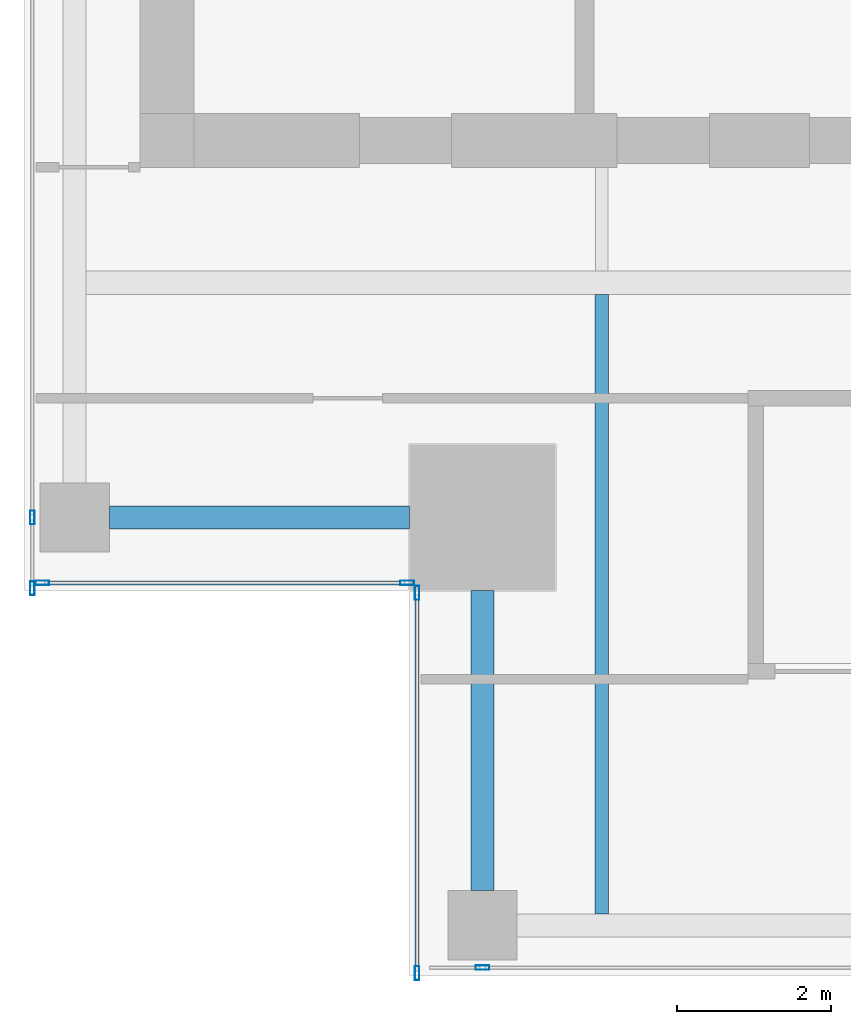
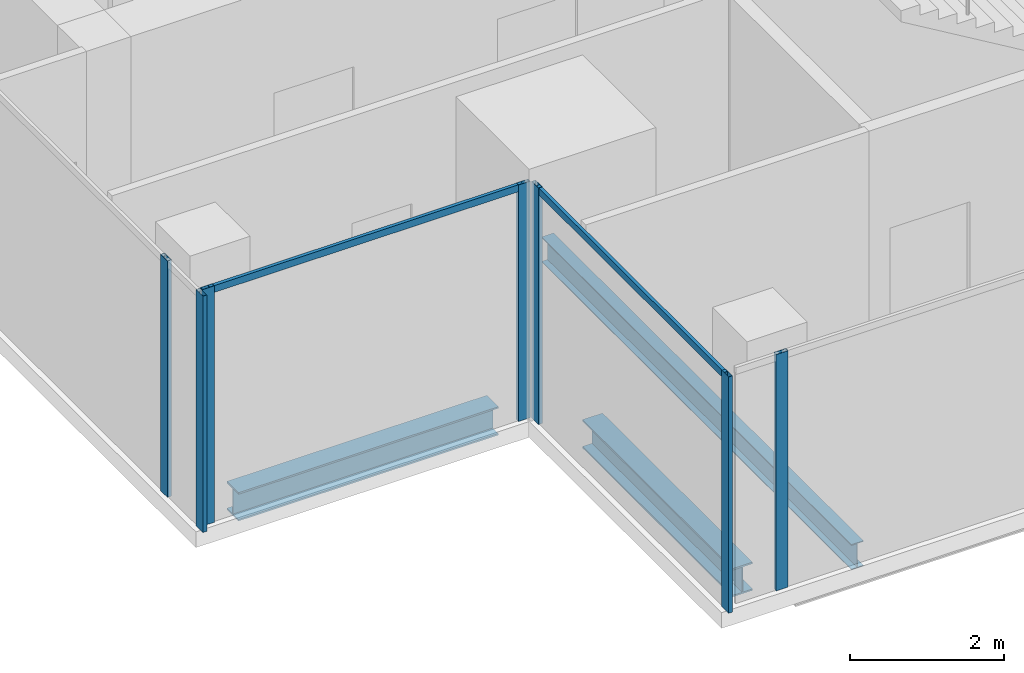
# One storey, part 2 of 35: 9 members, 3 beams, 4 elements without a shape of their own.
"""IFC4 building model written with IfcOpenShell, lengths in metres."""

import ifcopenshell
import ifcopenshell.guid

model = None  # the IFC model being written
_history = None  # IfcOwnerHistory: only IFC2X3 demands one
_inside = {}  # id of a spatial element -> (the spatial element, [elements in it])
_under = {}  # id of a project, library or spatial element -> (it, [spatial elements below it])
_declared = {}  # id of a project -> (the project, [libraries it declares])
_typed = {}  # id of a type object -> (the type object, [elements of that type])
_made_of = {}  # id of a material, layer set ... -> (it, [elements and type objects made of it])


def new_model(schema):
    """Start an empty IFC model of exactly this schema.

    Asked for "IFC4X3", IfcOpenShell would pick the latest addendum, in which some entities
    have other attributes; the version numbers below select the first issue.
    IFC2X3 requires an IfcOwnerHistory on every rooted entity: one is made here for all.
    """
    global model, _history
    if schema == "IFC4X3":
        model = ifcopenshell.file(schema_version=(4, 3, 0, 0))
    else:
        model = ifcopenshell.file(schema=schema)
    _inside.clear()
    _under.clear()
    _declared.clear()
    _typed.clear()
    _made_of.clear()
    _history = None
    if model.schema == "IFC2X3":
        org = make("IfcOrganization", Name="unknown")
        user = make(
            "IfcPersonAndOrganization",
            ThePerson=make("IfcPerson", FamilyName="unknown"),
            TheOrganization=org,
        )
        app = make(
            "IfcApplication",
            ApplicationDeveloper=org,
            Version="unknown",
            ApplicationFullName="unknown",
            ApplicationIdentifier="unknown",
        )
        _history = make(
            "IfcOwnerHistory",
            OwningUser=user,
            OwningApplication=app,
            ChangeAction="ADDED",
            CreationDate=0,
        )
    return model


def make(cls, **values):
    """One entity of the class cls with the attributes given. An attribute that is None is left unset."""
    return model.create_entity(
        cls, **{name: value for name, value in values.items() if value is not None}
    )


def rooted(cls, **values):
    """An entity with a GlobalId (a new one), such as an element, a storey or a relation."""
    return make(cls, GlobalId=ifcopenshell.guid.new(), OwnerHistory=_history, **values)


def si_unit(unit_type, name, prefix=None):
    """IfcSIUnit, for example si_unit("LENGTHUNIT", "METRE", prefix="MILLI")."""
    return make("IfcSIUnit", UnitType=unit_type, Prefix=prefix, Name=name)


def assignment(units):
    """IfcUnitAssignment: the units of a project."""
    return None if units is None else make("IfcUnitAssignment", Units=units)


def point(xyz):
    """IfcCartesianPoint."""
    return None if xyz is None else make("IfcCartesianPoint", Coordinates=xyz)


def direction(xyz):
    """IfcDirection."""
    return None if xyz is None else make("IfcDirection", DirectionRatios=xyz)


def frame(location, z_axis=None, x_axis=None):
    """IfcAxis2Placement3D, a coordinate frame: its origin and axes. An axis left out is left unset."""
    return make(
        "IfcAxis2Placement3D",
        Location=point(location),
        Axis=direction(z_axis),
        RefDirection=direction(x_axis),
    )


def frame_2d(location, x_axis=None):
    """IfcAxis2Placement2D, a coordinate frame in the plane: its origin and x axis."""
    return make(
        "IfcAxis2Placement2D", Location=point(location), RefDirection=direction(x_axis)
    )


def origin():
    """The frame at (0, 0, 0) with its axes left unset."""
    return frame((0.0, 0.0, 0.0))


def origin_2d():
    """The frame at (0, 0) in the plane with its x axis left unset."""
    return frame_2d((0.0, 0.0))


def place(relative_to, where):
    """IfcLocalPlacement: puts the frame where relative to a parent placement (None: the world)."""
    return make(
        "IfcLocalPlacement", PlacementRelTo=relative_to, RelativePlacement=where
    )


def context(
    kind, dimensions, precision=None, world=None, true_north=None, identifier=None
):
    """IfcGeometricRepresentationContext, for example the 3D "Model" context."""
    return make(
        "IfcGeometricRepresentationContext",
        ContextIdentifier=identifier,
        ContextType=kind,
        CoordinateSpaceDimension=dimensions,
        Precision=precision,
        WorldCoordinateSystem=world,
        TrueNorth=true_north,
    )


def subcontext(parent, identifier, kind, view, scale=None):
    """IfcGeometricRepresentationSubContext, for example "Body" below "Model"."""
    return make(
        "IfcGeometricRepresentationSubContext",
        ContextIdentifier=identifier,
        ContextType=kind,
        ParentContext=parent,
        TargetScale=scale,
        TargetView=view,
    )


def project(units=None, contexts=None):
    """IfcProject with its units and contexts."""
    return rooted(
        "IfcProject",
        Name="project",
        RepresentationContexts=contexts,
        UnitsInContext=assignment(units),
    )


def spatial(cls, under=None, at=None, **own):
    """A site, building, storey or space (cls), placed at a placement, below another one or the project."""
    s = rooted(cls, ObjectPlacement=at, **own)
    if under is not None:
        _under.setdefault(under.id(), (under, []))[1].append(s)
    return s


def profile(cls, at=None, kind="AREA", **sizes):
    """A parametric profile (cls). Its sizes go by their IFC names, for example OverallWidth=200.0."""
    return make(cls, ProfileType=kind, Position=at, **sizes)


def hollow_rectangle(**sizes):
    """IfcRectangleHollowProfileDef."""
    return profile("IfcRectangleHollowProfileDef", **sizes)


def i_section(**sizes):
    """IfcIShapeProfileDef."""
    return profile("IfcIShapeProfileDef", **sizes)


def extrude(swept, where, along, depth):
    """IfcExtrudedAreaSolid: the profile swept, set in the frame where, extruded along a direction by depth."""
    return make(
        "IfcExtrudedAreaSolid",
        SweptArea=swept,
        Position=where,
        ExtrudedDirection=direction(along),
        Depth=depth,
    )


def shape(context_of_items, identifier, shape_type, items):
    """IfcShapeRepresentation: the items that make up one representation, for example the "Body"."""
    return make(
        "IfcShapeRepresentation",
        ContextOfItems=context_of_items,
        RepresentationIdentifier=identifier,
        RepresentationType=shape_type,
        Items=items,
    )


def source(mapping_origin, context_of_items, identifier, shape_type, items):
    """IfcRepresentationMap: a shape defined once, which mapped items show again and again."""
    return make(
        "IfcRepresentationMap",
        MappingOrigin=mapping_origin,
        MappedRepresentation=shape(context_of_items, identifier, shape_type, items),
    )


def transform(
    local_origin,
    x_axis=None,
    y_axis=None,
    z_axis=None,
    scale=None,
    scale2=None,
    scale3=None,
    uniform=True,
):
    """IfcCartesianTransformationOperator3D, or its non-uniform kind. x_axis, y_axis, z_axis: its Axis1, 2, 3."""
    if uniform:
        return make(
            "IfcCartesianTransformationOperator3D",
            Axis1=direction(x_axis),
            Axis2=direction(y_axis),
            LocalOrigin=point(local_origin),
            Scale=scale,
            Axis3=direction(z_axis),
        )
    return make(
        "IfcCartesianTransformationOperator3DnonUniform",
        Axis1=direction(x_axis),
        Axis2=direction(y_axis),
        LocalOrigin=point(local_origin),
        Scale=scale,
        Axis3=direction(z_axis),
        Scale2=scale2,
        Scale3=scale3,
    )


def mapped(mapping_source, mapping_target):
    """IfcMappedItem: shows the shape of a source again, moved by a transform."""
    return make(
        "IfcMappedItem", MappingSource=mapping_source, MappingTarget=mapping_target
    )


def material(Name=None, Category=None):
    """IfcMaterial."""
    return make("IfcMaterial", Name=Name, Category=Category)


def material_profile(
    of_material, cross_section, Name=None, Category=None, Priority=None
):
    """IfcMaterialProfile: a cross section and its material."""
    return make(
        "IfcMaterialProfile",
        Name=Name,
        Material=of_material,
        Profile=cross_section,
        Priority=Priority,
        Category=Category,
    )


def profile_set(profiles, Name=None, composite=None):
    """IfcMaterialProfileSet."""
    return make(
        "IfcMaterialProfileSet",
        Name=Name,
        MaterialProfiles=profiles,
        CompositeProfile=composite,
    )


def made_of(thing, what):
    """Note that an element or type object is made of a material, layer set ...; save() writes the relation."""
    if what is not None:
        _made_of.setdefault(what.id(), (what, []))[1].append(thing)
    return thing


def type_object(cls, material=None, **own):
    """A type object (cls), such as IfcWallType, which elements share."""
    return made_of(rooted(cls, **own), material)


def element(
    cls,
    number,
    at=None,
    inside=None,
    cuts=None,
    type_object=None,
    material=None,
    context=None,
    identifier="Body",
    shape_type=None,
    held_by="IfcProductDefinitionShape",
    body=None,
    shapes=None,
    **own,
):
    """One element of the class cls, such as IfcWall. Its Tag is "e" and its number.

    at: its placement. inside: the storey or other place that contains it. cuts: it is an
    opening in that element (IfcRelVoidsElement). A single representation is given by context,
    identifier, shape_type and body (its items); several are given by shapes. held_by: the class
    of the entity that holds the representations. save() writes the other relations.
    """
    e = rooted(cls, Tag="e%d" % number, ObjectPlacement=at, **own)
    if body is not None:
        shapes = [shape(context, identifier, shape_type, body)]
    if shapes is not None:
        e.Representation = make(held_by, Representations=shapes)
    if inside is not None:
        _inside.setdefault(inside.id(), (inside, []))[1].append(e)
    if cuts is not None:
        rooted(
            "IfcRelVoidsElement", RelatingBuildingElement=cuts, RelatedOpeningElement=e
        )
    if type_object is not None:
        _typed.setdefault(type_object.id(), (type_object, []))[1].append(e)
    return made_of(e, material)


def aggregate(whole, parts):
    """IfcRelAggregates: a whole, such as a stair, and the parts it consists of."""
    return rooted("IfcRelAggregates", RelatingObject=whole, RelatedObjects=parts)


def save(model, path):
    """Write the relations noted so far, then the file.

    IfcRelAggregates (storeys below a building ...), IfcRelContainedInSpatialStructure (elements
    in a storey), IfcRelDefinesByType, IfcRelAssociatesMaterial and IfcRelDeclares: one each for
    every whole, place, type object, material and project.
    """
    for whole, parts in _under.values():
        aggregate(whole, parts)
    for where, things in _inside.values():
        rooted(
            "IfcRelContainedInSpatialStructure",
            RelatedElements=things,
            RelatingStructure=where,
        )
    for kind, things in _typed.values():
        rooted("IfcRelDefinesByType", RelatedObjects=things, RelatingType=kind)
    for what, things in _made_of.values():
        rooted("IfcRelAssociatesMaterial", RelatedObjects=things, RelatingMaterial=what)
    for by, libraries in _declared.values():
        rooted("IfcRelDeclares", RelatingContext=by, RelatedDefinitions=libraries)
    model.write(path)


model = new_model("IFC4")

# Units and contexts
model_context = context("Model", 3, precision=1e-05, world=origin(), true_north=direction((0.0, 1.0)))
body_context = subcontext(model_context, "Body", "Model", "MODEL_VIEW")
ifc_project = project(units=[si_unit("LENGTHUNIT", "METRE"), si_unit("AREAUNIT", "SQUARE_METRE"), si_unit("VOLUMEUNIT", "CUBIC_METRE"), si_unit("PLANEANGLEUNIT", "RADIAN"), si_unit("MASSUNIT", "GRAM", prefix="KILO")], contexts=[model_context])

# Site, building, storey
site_placement = place(None, origin())
site = spatial("IfcSite", under=ifc_project, at=site_placement, CompositionType="ELEMENT")
building_placement = place(site_placement, origin())
building = spatial("IfcBuilding", under=site, at=building_placement, Name="Khomas Fold Tower", CompositionType="ELEMENT")
storey_placement = place(building_placement, frame((0.0, 0.0, 270.199951171875)))
storey = spatial("IfcBuildingStorey", under=building, at=storey_placement, Name="L61", CompositionType="ELEMENT", Elevation=270.199951171875)

# Beams
ifc_material_1 = material(Name="Steel S355", Category="steel")
ifc_material_profile_1 = material_profile(ifc_material_1, i_section(OverallWidth=0.300048828125, OverallDepth=0.449951171875, WebThickness=0.013916015625, FlangeThickness=0.02587890625, at=origin_2d()), Name="HE 450 B")
ifc_profile_set_1 = profile_set([ifc_material_profile_1], Name="Steel S355")
beam_type_1 = type_object("IfcBeamType", Name="HE 450 B spandrel SB4", PredefinedType="SPANDREL", material=ifc_profile_set_1)
shared_shape_1 = source(origin(), body_context, "Body", "SweptSolid", [
    extrude(i_section(OverallWidth=0.300048828125, OverallDepth=0.449951171875, WebThickness=0.013916015625, FlangeThickness=0.02587890625, at=origin_2d()), origin(), (0.0, 0.0, 1.0), 3.89990234375),
])
for number, where, z_axis, x_axis, name in (
    (1, (5.60009765625, 10.449951171875, -0.474853515625), (1.0, 0.0, 0.0), (0.0, 1.0, 0.0), "SB4"),
    (2, (10.449951171875, 5.60009765625, -0.474853515625), (0.0, 1.0, 0.0), (-1.0, 0.0, 0.0), "SB4"),
):
    element("IfcBeam", number, at=place(storey_placement, frame(where, z_axis=z_axis, x_axis=x_axis)), inside=storey, type_object=beam_type_1, Name=name, PredefinedType="SPANDREL", context=body_context, shape_type="MappedRepresentation", body=[
        mapped(shared_shape_1, transform((0.0, 0.0, 0.0))),
    ])
ifc_material_2 = material(Name="Steel S355", Category="steel")
ifc_material_profile_2 = material_profile(ifc_material_2, i_section(OverallWidth=0.179931640625, OverallDepth=0.39990234375, WebThickness=0.008544921875, FlangeThickness=0.013427734375, at=origin_2d()), Name="IPE 400")
ifc_profile_set_2 = profile_set([ifc_material_profile_2], Name="Steel S355")
beam_type_2 = type_object("IfcBeamType", Name="IPE 400 beam JB3", PredefinedType="BEAM", material=ifc_profile_set_2)
shared_shape_2 = source(origin(), body_context, "Body", "SweptSolid", [
    extrude(i_section(OverallWidth=0.179931640625, OverallDepth=0.39990234375, WebThickness=0.008544921875, FlangeThickness=0.013427734375, at=origin_2d()), origin(), (0.0, 0.0, 1.0), 8.050048828125),
])
beam_placement = place(storey_placement, frame((12.0, 5.300048828125, -0.449951171875), z_axis=(0.0, 1.0, 0.0), x_axis=(-1.0, 0.0, 0.0)))
element("IfcBeam", 3, at=beam_placement, inside=storey, type_object=beam_type_2, Name="JB3", PredefinedType="BEAM", context=body_context, shape_type="MappedRepresentation", body=[
    mapped(shared_shape_2, transform((0.0, 0.0, 0.0))),
])

# Curtain wall, member
ifc_material_3 = material(Name="Aluminium framed double glazing", Category="aluminium")
curtain_wall_type = type_object("IfcCurtainWallType", Name="SK-Unitised clear-glass wall, office floors CW2", PredefinedType="NOTDEFINED", material=ifc_material_3)
curtain_wall_1_placement = place(storey_placement, origin())
curtain_wall_1 = element("IfcCurtainWall", 4, at=curtain_wall_1_placement, inside=storey, type_object=curtain_wall_type, Name="CW2 run L61 00-0", PredefinedType="NOTDEFINED")
ifc_material_4 = material(Name="Aluminium", Category="aluminium")
ifc_material_profile_3 = material_profile(ifc_material_4, hollow_rectangle(XDim=0.06005859375, YDim=0.179931640625, WallThickness=0.00390625, at=origin_2d()), Name="SK-Unitised clear-glass wall, office floors mullion CW2-M")
ifc_profile_set_3 = profile_set([ifc_material_profile_3], Name="Aluminium")
member_type_1 = type_object("IfcMemberType", Name="SK-Unitised clear-glass wall, office floors mullion CW2-M", PredefinedType="MULLION", material=ifc_profile_set_3)
shared_shape_3 = source(origin(), body_context, "Body", "SweptSolid", [
    extrude(hollow_rectangle(XDim=0.06005859375, YDim=0.179931640625, WallThickness=0.00390625, at=origin_2d()), origin(), (0.0, 0.0, 1.0), 3.75),
])
member_1_placement = place(storey_placement, frame((10.449951171875, 4.60009765625, 0.0), z_axis=(0.0, 0.0, 1.0), x_axis=(0.0, 1.0, 0.0)))
member_1 = element("IfcMember", 5, at=member_1_placement, type_object=member_type_1, Name="CW2 mullion 2", PredefinedType="MULLION", context=body_context, shape_type="MappedRepresentation", body=[
    mapped(shared_shape_3, transform((0.0, 0.0, 0.0))),
])
aggregate(curtain_wall_1, [member_1])

# Curtain wall, members
curtain_wall_2_placement = place(storey_placement, origin())
curtain_wall_2 = element("IfcCurtainWall", 6, at=curtain_wall_2_placement, inside=storey, type_object=curtain_wall_type, Name="CW2 run L61 09-0", PredefinedType="NOTDEFINED")
member_2_placement = place(storey_placement, frame((4.60009765625, 10.449951171875, 0.0), z_axis=(0.0, 0.0, 1.0), x_axis=(1.0, 0.0, 0.0)))
member_2 = element("IfcMember", 7, at=member_2_placement, type_object=member_type_1, Name="CW2 mullion 6", PredefinedType="MULLION", context=body_context, shape_type="MappedRepresentation", body=[
    mapped(shared_shape_3, transform((0.0, 0.0, 0.0))),
])
member_3_placement = place(storey_placement, frame((4.60009765625, 9.530029296875, 0.0), z_axis=(0.0, 0.0, 1.0), x_axis=(1.0, 0.0, 0.0)))
member_3 = element("IfcMember", 8, at=member_3_placement, type_object=member_type_1, Name="CW2 mullion 7", PredefinedType="MULLION", context=body_context, shape_type="MappedRepresentation", body=[
    mapped(shared_shape_3, transform((0.0, 0.0, 0.0))),
])
aggregate(curtain_wall_2, [member_2, member_3])

curtain_wall_3_placement = place(storey_placement, origin())
curtain_wall_3 = element("IfcCurtainWall", 9, at=curtain_wall_3_placement, inside=storey, type_object=curtain_wall_type, Name="CW2 corner return L61 10", PredefinedType="NOTDEFINED")
member_4_placement = place(storey_placement, frame((4.72998046875, 9.60009765625, 0.0), z_axis=(0.0, 0.0, 1.0), x_axis=(0.0, 1.0, 0.0)))
member_4 = element("IfcMember", 10, at=member_4_placement, type_object=member_type_1, Name="CW2 mullion 1", PredefinedType="MULLION", context=body_context, shape_type="MappedRepresentation", body=[
    mapped(shared_shape_3, transform((0.0, 0.0, 0.0))),
])
member_5_placement = place(storey_placement, frame((9.469970703125, 9.60009765625, 0.0), z_axis=(0.0, 0.0, 1.0), x_axis=(0.0, 1.0, 0.0)))
member_5 = element("IfcMember", 11, at=member_5_placement, type_object=member_type_1, Name="CW2 mullion 2", PredefinedType="MULLION", context=body_context, shape_type="MappedRepresentation", body=[
    mapped(shared_shape_3, transform((0.0, 0.0, 0.0))),
])

curtain_wall_4_placement = place(storey_placement, origin())
curtain_wall_4 = element("IfcCurtainWall", 12, at=curtain_wall_4_placement, inside=storey, type_object=curtain_wall_type, Name="CW2 corner return L61 11", PredefinedType="NOTDEFINED")
member_6_placement = place(storey_placement, frame((9.60009765625, 9.469970703125, 0.0), z_axis=(0.0, 0.0, 1.0), x_axis=(1.0, 0.0, 0.0)))
member_6 = element("IfcMember", 13, at=member_6_placement, type_object=member_type_1, Name="CW2 mullion 1", PredefinedType="MULLION", context=body_context, shape_type="MappedRepresentation", body=[
    mapped(shared_shape_3, transform((0.0, 0.0, 0.0))),
])
member_7_placement = place(storey_placement, frame((9.60009765625, 4.530029296875, 0.0), z_axis=(0.0, 0.0, 1.0), x_axis=(1.0, 0.0, 0.0)))
member_7 = element("IfcMember", 14, at=member_7_placement, type_object=member_type_1, Name="CW2 mullion 2", PredefinedType="MULLION", context=body_context, shape_type="MappedRepresentation", body=[
    mapped(shared_shape_3, transform((0.0, 0.0, 0.0))),
])

# Member
ifc_material_5 = material(Name="Aluminium", Category="aluminium")
ifc_material_profile_4 = material_profile(ifc_material_5, hollow_rectangle(XDim=0.050048828125, YDim=0.110107421875, WallThickness=0.00390625, at=origin_2d()), Name="SK-Unitised clear-glass wall, office floors transom CW2-T")
ifc_profile_set_4 = profile_set([ifc_material_profile_4], Name="Aluminium")
member_type_2 = type_object("IfcMemberType", Name="SK-Unitised clear-glass wall, office floors transom CW2-T", PredefinedType="USERDEFINED", material=ifc_profile_set_4)
shared_shape_4 = source(origin(), body_context, "Body", "SweptSolid", [
    extrude(hollow_rectangle(XDim=0.050048828125, YDim=0.110107421875, WallThickness=0.00390625, at=origin_2d()), origin(), (0.0, 0.0, 1.0), 4.679931640625),
])
member_8_placement = place(storey_placement, frame((4.760009765625, 9.60009765625, 3.695068359375), z_axis=(1.0, 0.0, 0.0), x_axis=(0.0, 1.0, 0.0)))
member_8 = element("IfcMember", 15, at=member_8_placement, type_object=member_type_2, Name="CW2 transom 1", ObjectType="TRANSOM", PredefinedType="USERDEFINED", context=body_context, shape_type="MappedRepresentation", body=[
    mapped(shared_shape_4, transform((0.0, 0.0, 0.0))),
])

aggregate(curtain_wall_3, [member_4, member_5, member_8])

shared_shape_5 = source(origin(), body_context, "Body", "SweptSolid", [
    extrude(hollow_rectangle(XDim=0.050048828125, YDim=0.110107421875, WallThickness=0.00390625, at=origin_2d()), origin(), (0.0, 0.0, 1.0), 4.8798828125),
])
member_9_placement = place(storey_placement, frame((9.60009765625, 9.43994140625, 3.695068359375), z_axis=(0.0, -1.0, 0.0), x_axis=(1.0, 0.0, 0.0)))
member_9 = element("IfcMember", 16, at=member_9_placement, type_object=member_type_2, Name="CW2 transom 1", ObjectType="TRANSOM", PredefinedType="USERDEFINED", context=body_context, shape_type="MappedRepresentation", body=[
    mapped(shared_shape_5, transform((0.0, 0.0, 0.0))),
])

aggregate(curtain_wall_4, [member_6, member_7, member_9])

save(model, "model.ifc")
